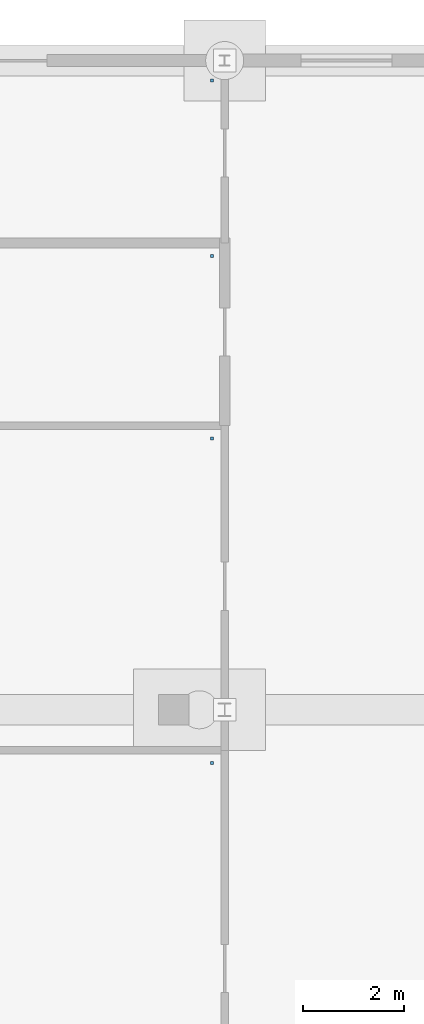
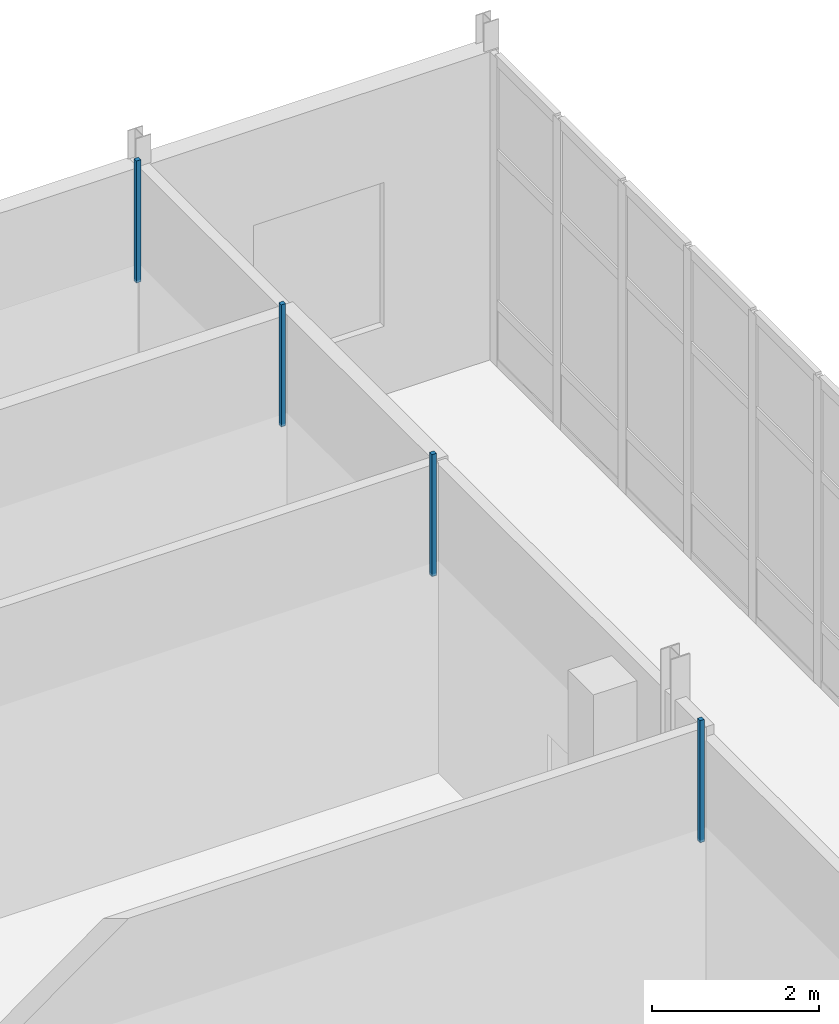
# One storey, part 88 of 111: 4 discrete accessories.
"""IFC4 building model written with IfcOpenShell, lengths in metres."""

from ifc_helpers import new_model, si_unit, direction, frame, origin, place, context, subcontext, project, spatial, polyline, outline, extrude, material, type_object, element, save


model = new_model("IFC4")

# Units and contexts
model_context = context("Model", 3, precision=1e-05, world=origin(), true_north=direction((0.0, 1.0)))
body_context = subcontext(model_context, "Body", "Model", "MODEL_VIEW")
ifc_project = project(units=[si_unit("LENGTHUNIT", "METRE"), si_unit("AREAUNIT", "SQUARE_METRE"), si_unit("VOLUMEUNIT", "CUBIC_METRE"), si_unit("PLANEANGLEUNIT", "RADIAN"), si_unit("MASSUNIT", "GRAM", prefix="KILO")], contexts=[model_context])

# Site, building, storey
site_placement = place(None, origin())
site = spatial("IfcSite", under=ifc_project, at=site_placement, CompositionType="ELEMENT")
building_placement = place(site_placement, origin())
building = spatial("IfcBuilding", under=site, at=building_placement, Name="Dunescarp Central Library", CompositionType="ELEMENT")
storey_placement = place(building_placement, origin())
storey = spatial("IfcBuildingStorey", under=building, at=storey_placement, Name="L00", CompositionType="ELEMENT", Elevation=0.0)

# Discrete accessories
ifc_material = material(Name="Stainless steel Grade 316L", Category="steel")
discrete_accessory_type = type_object("IfcDiscreteAccessoryType", Name="ARC-ACC-BRK", PredefinedType="BRACKET", material=ifc_material)
discrete_accessory_1_placement = place(storey_placement, frame((0.0, 0.0, 3.06005859375)))
element("IfcDiscreteAccessory", 1, at=discrete_accessory_1_placement, inside=storey, type_object=discrete_accessory_type, Name="L00 ceiling hanger CLG-L00-123-H2", PredefinedType="BRACKET", context=body_context, shape_type="SweptSolid", body=[
    extrude(outline(polyline([(18.919921875, 98.1201171875), (18.97998046875, 98.1201171875), (18.97998046875, 98.179931640625), (18.919921875, 98.179931640625), (18.919921875, 98.1201171875)])), origin(), (0.0, 0.0, 1.0), 1.780029296875),
])
discrete_accessory_2_placement = place(storey_placement, frame((0.0, 0.0, 3.06005859375)))
element("IfcDiscreteAccessory", 2, at=discrete_accessory_2_placement, inside=storey, type_object=discrete_accessory_type, Name="L00 ceiling hanger CLG-L00-124-H2", PredefinedType="BRACKET", context=body_context, shape_type="SweptSolid", body=[
    extrude(outline(polyline([(18.919921875, 104.52001953125), (18.97998046875, 104.52001953125), (18.97998046875, 104.580078125), (18.919921875, 104.580078125), (18.919921875, 104.52001953125)])), origin(), (0.0, 0.0, 1.0), 1.780029296875),
])
discrete_accessory_3_placement = place(storey_placement, frame((0.0, 0.0, 3.06005859375)))
element("IfcDiscreteAccessory", 3, at=discrete_accessory_3_placement, inside=storey, type_object=discrete_accessory_type, Name="L00 ceiling hanger CLG-L00-125-H2", PredefinedType="BRACKET", context=body_context, shape_type="SweptSolid", body=[
    extrude(outline(polyline([(18.919921875, 108.1201171875), (18.97998046875, 108.1201171875), (18.97998046875, 108.179931640625), (18.919921875, 108.179931640625), (18.919921875, 108.1201171875)])), origin(), (0.0, 0.0, 1.0), 1.780029296875),
])
discrete_accessory_4_placement = place(storey_placement, frame((0.0, 0.0, 3.06005859375)))
element("IfcDiscreteAccessory", 4, at=discrete_accessory_4_placement, inside=storey, type_object=discrete_accessory_type, Name="L00 ceiling hanger CLG-L00-126-H2", PredefinedType="BRACKET", context=body_context, shape_type="SweptSolid", body=[
    extrude(outline(polyline([(18.919921875, 111.580078125), (18.97998046875, 111.580078125), (18.97998046875, 111.639892578125), (18.919921875, 111.639892578125), (18.919921875, 111.580078125)])), origin(), (0.0, 0.0, 1.0), 1.780029296875),
])

save(model, "model.ifc")
